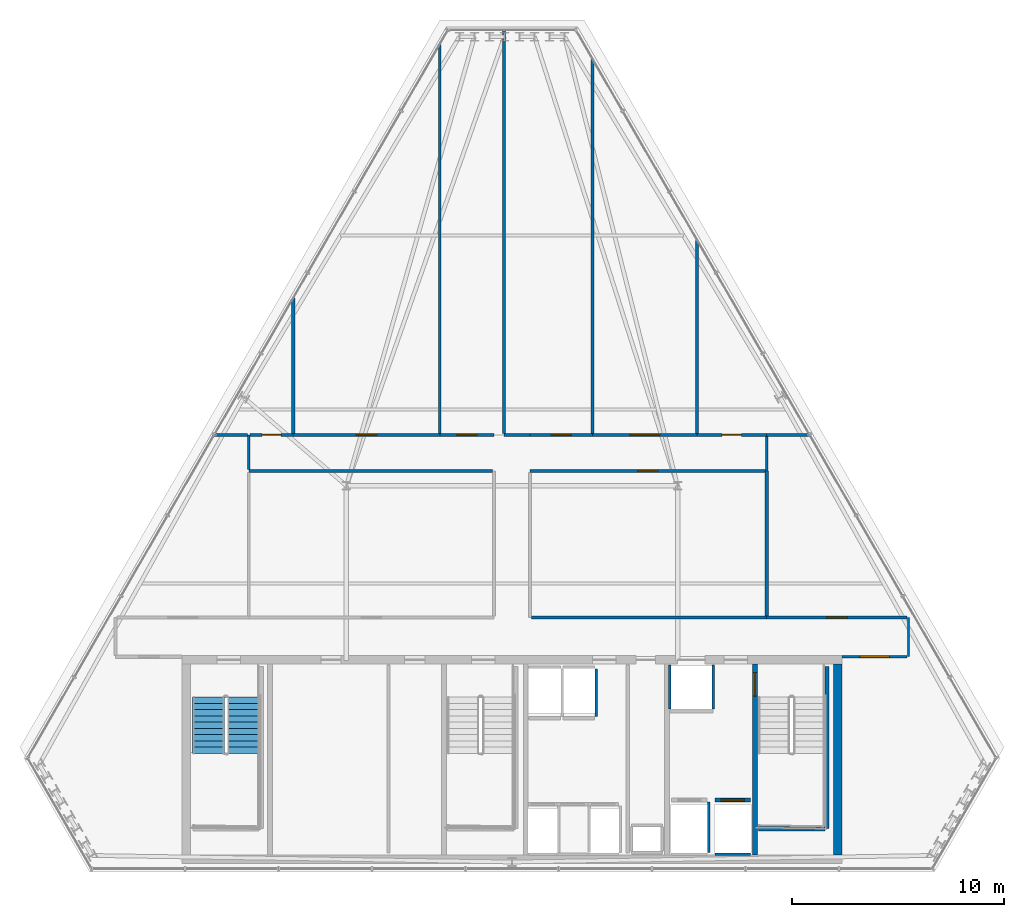
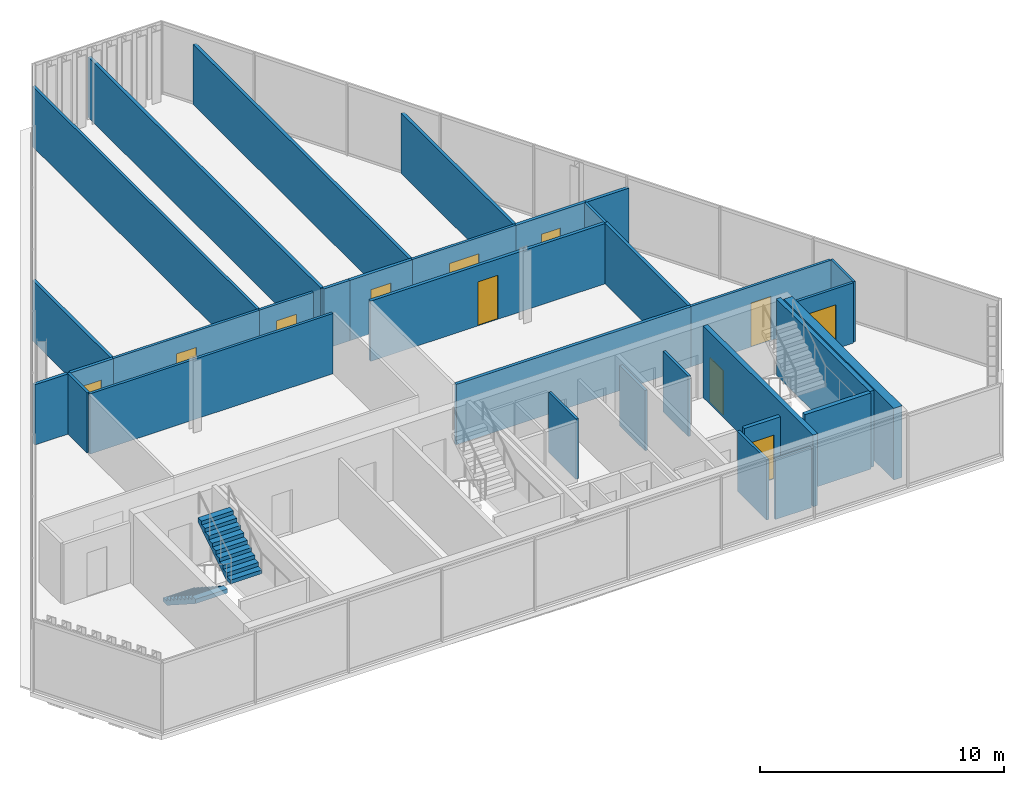
# One storey, part 28 of 32: 33 walls, 11 doors, 2 stair flights, 11 openings, 1 element without a shape of its own.
"""IFC4 building model written with IfcOpenShell, lengths in metres."""

from ifc_helpers import new_model, si_unit, direction, frame, frame_2d, origin, place, context, subcontext, project, spatial, polyline, rectangle, outline, extrude, material, layer, layer_set, type_object, element, fill, aggregate, save


model = new_model("IFC4")

# Units and contexts
model_context = context("Model", 3, precision=1e-05, world=origin(), true_north=direction((0.0, 1.0)))
body_context = subcontext(model_context, "Body", "Model", "MODEL_VIEW")
ifc_project = project(units=[si_unit("LENGTHUNIT", "METRE"), si_unit("AREAUNIT", "SQUARE_METRE"), si_unit("VOLUMEUNIT", "CUBIC_METRE"), si_unit("PLANEANGLEUNIT", "RADIAN"), si_unit("MASSUNIT", "GRAM", prefix="KILO")], contexts=[model_context])

# Site, building, storey
site_placement = place(None, origin())
site = spatial("IfcSite", under=ifc_project, at=site_placement, CompositionType="ELEMENT")
building_placement = place(site_placement, origin())
building = spatial("IfcBuilding", under=site, at=building_placement, Name="Ndaravel Arena Tower", CompositionType="ELEMENT")
storey_placement = place(building_placement, frame((0.0, 0.0, 252.199951171875)))
storey = spatial("IfcBuildingStorey", under=building, at=storey_placement, Name="L61", CompositionType="ELEMENT", Elevation=252.199951171875)

# Wall, opening, door
ifc_material_1 = material(Name="Concrete C50/60", Category="concrete")
ifc_layer_1 = layer(ifc_material_1, 0.219970703125)
ifc_layer_set_1 = layer_set([ifc_layer_1], Name="Concrete C50/60")
wall_type_1 = type_object("IfcWallType", Name="WALL-CORE-220", PredefinedType="SOLIDWALL", material=ifc_layer_set_1)
wall_1_placement = place(storey_placement, frame((53.449951171875, 5.800048828125, 0.0), z_axis=(0.0, 0.0, 1.0), x_axis=(0.0, 1.0, 0.0)))
wall_1 = element("IfcWall", 1, at=wall_1_placement, inside=storey, type_object=wall_type_1, Name="L61 Core Web Shear Wall 5", PredefinedType="SOLIDWALL", context=body_context, shape_type="SweptSolid", body=[
    extrude(rectangle(XDim=9.0, YDim=0.219970703125, at=frame_2d((4.5, 0.0))), origin(), (0.0, 0.0, 1.0), 3.580078125),
])
opening_1_placement = place(wall_1_placement, frame((7.5, 0.0, 0.0)))
opening_1 = element("IfcOpeningElement", 2, at=opening_1_placement, cuts=wall_1, Name="Opening FD-01", PredefinedType="OPENING", context=body_context, shape_type="SweptSolid", body=[
    extrude(rectangle(XDim=1.10009765625, YDim=2.199951171875, at=frame_2d((0.550048828125, 1.10009765625))), frame((0.0, 0.10986328125, 0.0), z_axis=(0.0, -1.0, 0.0), x_axis=(1.0, 0.0, 0.0)), (0.0, 0.0, 1.0), 0.219970703125),
])
ifc_material_2 = material(Name="Steel S355", Category="steel")
door_type_1 = type_object("IfcDoorType", Name="DT-01-STAIR-1100", OperationType="SINGLE_SWING_LEFT", PredefinedType="DOOR", material=ifc_material_2)
door_1_placement = place(opening_1_placement, origin())
door_1 = element("IfcDoor", 3, at=door_1_placement, inside=storey, type_object=door_type_1, Name="L61 Firefighting Lobby to ST-3 Door", OperationType="SINGLE_SWING_LEFT", OverallHeight=2.199951171875, OverallWidth=1.10009765625, PredefinedType="DOOR", context=body_context, shape_type="SweptSolid", body=[
    extrude(rectangle(XDim=1.10009765625, YDim=2.199951171875, at=frame_2d((0.550048828125, 1.10009765625))), frame((0.0, 0.02490234375, 0.0), z_axis=(0.0, -1.0, 0.0), x_axis=(1.0, 0.0, 0.0)), (0.0, 0.0, 1.0), 0.050048828125),
])
fill(opening_1, door_1)

# Walls
ifc_material_3 = material(Name="Concrete C50/60", Category="concrete")
ifc_layer_2 = layer(ifc_material_3, 0.39990234375)
ifc_layer_set_2 = layer_set([ifc_layer_2], Name="Concrete C50/60")
wall_type_2 = type_object("IfcWallType", Name="WALL-CORE-400", PredefinedType="SOLIDWALL", material=ifc_layer_set_2)
wall_2_placement = place(storey_placement, frame((57.35009765625, 5.800048828125, 0.0), z_axis=(0.0, 0.0, 1.0), x_axis=(0.0, 1.0, 0.0)))
element("IfcWall", 4, at=wall_2_placement, inside=storey, type_object=wall_type_2, Name="L61 Core East Shear Wall", PredefinedType="SOLIDWALL", context=body_context, shape_type="SweptSolid", body=[
    extrude(rectangle(XDim=9.0, YDim=0.39990234375, at=frame_2d((4.5, 0.0))), origin(), (0.0, 0.0, 1.0), 3.580078125),
])
ifc_material_4 = material(Name="Timber", Category="wood")
ifc_layer_3 = layer(ifc_material_4, 0.10009765625)
ifc_layer_set_3 = layer_set([ifc_layer_3], Name="Timber")
wall_type_3 = type_object("IfcWallType", Name="WALL-MOVABLE-100", PredefinedType="MOVABLE", material=ifc_layer_set_3)
wall_3_placement = place(storey_placement, frame((60.68505859375, 17.0, 0.0), z_axis=(0.0, 0.0, 1.0), x_axis=(0.0, -1.0, 0.0)))
element("IfcWall", 5, at=wall_3_placement, inside=storey, type_object=wall_type_3, Name="L61 Interior Partition 001", PredefinedType="MOVABLE", context=body_context, shape_type="SweptSolid", body=[
    extrude(rectangle(XDim=1.85009765625, YDim=0.10009765625, at=frame_2d((0.925048828125, 0.0))), origin(), (0.0, 0.0, 1.0), 3.010498046875),
])

# Wall, opening, door
ifc_material_5 = material(Name="Gypsum", Category="gypsum")
ifc_layer_4 = layer(ifc_material_5, 0.125)
ifc_layer_set_4 = layer_set([ifc_layer_4], Name="Gypsum")
wall_type_4 = type_object("IfcWallType", Name="WALL-PART-125", PredefinedType="PARTITIONING", material=ifc_layer_set_4)
wall_4_placement = place(storey_placement, frame((60.6201171875, 15.14990234375, 0.0), z_axis=(0.0, 0.0, 1.0), x_axis=(-1.0, 0.0, 0.0)))
wall_4 = element("IfcWall", 6, at=wall_4_placement, inside=storey, type_object=wall_type_4, Name="L61 Interior Partition 002", PredefinedType="PARTITIONING", context=body_context, shape_type="SweptSolid", body=[
    extrude(rectangle(XDim=3.070068359375, YDim=0.125, at=frame_2d((1.53515625, 0.0))), origin(), (0.0, 0.0, 1.0), 3.010498046875),
])
opening_2_placement = place(wall_4_placement, frame((0.8349609375, 0.0, 0.0)))
opening_2 = element("IfcOpeningElement", 7, at=opening_2_placement, cuts=wall_4, Name="Opening ID-02", PredefinedType="OPENING", context=body_context, shape_type="SweptSolid", body=[
    extrude(rectangle(XDim=1.39990234375, YDim=2.199951171875, at=frame_2d((0.699951171875, 1.10009765625))), frame((0.0, 0.0625, 0.0), z_axis=(0.0, -1.0, 0.0), x_axis=(1.0, 0.0, 0.0)), (0.0, 0.0, 1.0), 0.125),
])
ifc_material_6 = material(Name="Timber", Category="wood")
door_type_2 = type_object("IfcDoorType", Name="DT-04-SUITE-1400", OperationType="DOUBLE_DOOR_SINGLE_SWING", PredefinedType="DOOR", material=ifc_material_6)
door_2_placement = place(opening_2_placement, origin())
door_2 = element("IfcDoor", 8, at=door_2_placement, inside=storey, type_object=door_type_2, Name="L61 Visitor Reception Desk Door", OperationType="SINGLE_SWING_LEFT", OverallHeight=2.199951171875, OverallWidth=1.39990234375, PredefinedType="DOOR", context=body_context, shape_type="SweptSolid", body=[
    extrude(rectangle(XDim=1.39990234375, YDim=2.199951171875, at=frame_2d((0.699951171875, 1.10009765625))), frame((0.0, 0.02490234375, 0.0), z_axis=(0.0, -1.0, 0.0), x_axis=(1.0, 0.0, 0.0)), (0.0, 0.0, 1.0), 0.050048828125),
])
fill(opening_2, door_2)

# Walls
wall_5_placement = place(storey_placement, frame((41.0849609375, 23.89990234375, 0.0), z_axis=(0.0, 0.0, 1.0), x_axis=(-1.0, 0.0, 0.0)))
element("IfcWall", 9, at=wall_5_placement, inside=storey, type_object=wall_type_4, Name="L61 Interior Partition 008", PredefinedType="PARTITIONING", context=body_context, shape_type="SweptSolid", body=[
    extrude(rectangle(XDim=11.48486328125, YDim=0.125, at=frame_2d((5.742431640625, 0.0))), origin(), (0.0, 0.0, 1.0), 3.010498046875),
])
wall_6_placement = place(storey_placement, frame((29.60009765625, 23.965087890625, 0.0), z_axis=(0.0, 0.0, 1.0), x_axis=(0.0, 1.0, 0.0)))
element("IfcWall", 10, at=wall_6_placement, inside=storey, type_object=wall_type_4, Name="L61 Interior Partition 009", PredefinedType="PARTITIONING", context=body_context, shape_type="SweptSolid", body=[
    extrude(rectangle(XDim=1.635009765625, YDim=0.125, at=frame_2d((0.8173828125, 0.0))), origin(), (0.0, 0.0, 1.0), 3.010498046875),
])

# Wall, opening, door
wall_7_placement = place(storey_placement, frame((31.69091796875, 25.60009765625, 0.0), z_axis=(0.0, 0.0, 1.0), x_axis=(1.0, 0.0, 0.0)))
wall_7 = element("IfcWall", 11, at=wall_7_placement, inside=storey, type_object=wall_type_4, Name="L61 Interior Partition 011", PredefinedType="PARTITIONING", context=body_context, shape_type="SweptSolid", body=[
    extrude(rectangle(XDim=6.9091796875, YDim=0.125, at=frame_2d((3.45458984375, 0.0))), origin(), (0.0, 0.0, 1.0), 3.010498046875),
])
opening_3_placement = place(wall_7_placement, frame((2.9794921875, 0.0, 0.0)))
opening_3 = element("IfcOpeningElement", 12, at=opening_3_placement, cuts=wall_7, Name="Opening ID-01", PredefinedType="OPENING", context=body_context, shape_type="SweptSolid", body=[
    extrude(rectangle(XDim=0.949951171875, YDim=2.199951171875, at=frame_2d((0.47509765625, 1.10009765625))), frame((0.0, 0.0625, 0.0), z_axis=(0.0, -1.0, 0.0), x_axis=(1.0, 0.0, 0.0)), (0.0, 0.0, 1.0), 0.125),
])
ifc_material_7 = material(Name="Timber", Category="wood")
door_type_3 = type_object("IfcDoorType", Name="DT-03-OFFICE-950", OperationType="SINGLE_SWING_LEFT", PredefinedType="DOOR", material=ifc_material_7)
door_3_placement = place(opening_3_placement, origin())
door_3 = element("IfcDoor", 13, at=door_3_placement, inside=storey, type_object=door_type_3, Name="L61 Concierge Arrival Salon 2 Door", OperationType="SINGLE_SWING_RIGHT", OverallHeight=2.199951171875, OverallWidth=0.949951171875, PredefinedType="DOOR", context=body_context, shape_type="SweptSolid", body=[
    extrude(rectangle(XDim=0.949951171875, YDim=2.199951171875, at=frame_2d((0.47509765625, 1.10009765625))), frame((0.0, 0.02490234375, 0.0), z_axis=(0.0, -1.0, 0.0), x_axis=(1.0, 0.0, 0.0)), (0.0, 0.0, 1.0), 0.050048828125),
])
fill(opening_3, door_3)

wall_8_placement = place(storey_placement, frame((38.60009765625, 25.60009765625, 0.0), z_axis=(0.0, 0.0, 1.0), x_axis=(1.0, 0.0, 0.0)))
wall_8 = element("IfcWall", 14, at=wall_8_placement, inside=storey, type_object=wall_type_4, Name="L61 Interior Partition 012", PredefinedType="PARTITIONING", context=body_context, shape_type="SweptSolid", body=[
    extrude(rectangle(XDim=2.5498046875, YDim=0.125, at=frame_2d((1.27490234375, 0.0))), origin(), (0.0, 0.0, 1.0), 3.010498046875),
])
opening_4_placement = place(wall_8_placement, frame((0.800048828125, 0.0, 0.0)))
opening_4 = element("IfcOpeningElement", 15, at=opening_4_placement, cuts=wall_8, Name="Opening ID-01", PredefinedType="OPENING", context=body_context, shape_type="SweptSolid", body=[
    extrude(rectangle(XDim=0.949951171875, YDim=2.199951171875, at=frame_2d((0.47509765625, 1.10009765625))), frame((0.0, 0.0625, 0.0), z_axis=(0.0, -1.0, 0.0), x_axis=(1.0, 0.0, 0.0)), (0.0, 0.0, 1.0), 0.125),
])
door_4_placement = place(opening_4_placement, origin())
door_4 = element("IfcDoor", 16, at=door_4_placement, inside=storey, type_object=door_type_3, Name="L61 Client Concierge Parlour 4 Door", OperationType="SINGLE_SWING_LEFT", OverallHeight=2.199951171875, OverallWidth=0.949951171875, PredefinedType="DOOR", context=body_context, shape_type="SweptSolid", body=[
    extrude(rectangle(XDim=0.949951171875, YDim=2.199951171875, at=frame_2d((0.47509765625, 1.10009765625))), frame((0.0, 0.02490234375, 0.0), z_axis=(0.0, -1.0, 0.0), x_axis=(1.0, 0.0, 0.0)), (0.0, 0.0, 1.0), 0.050048828125),
])
fill(opening_4, door_4)

wall_9_placement = place(storey_placement, frame((45.800048828125, 25.60009765625, 0.0), z_axis=(0.0, 0.0, 1.0), x_axis=(1.0, 0.0, 0.0)))
wall_9 = element("IfcWall", 17, at=wall_9_placement, inside=storey, type_object=wall_type_4, Name="L61 Interior Partition 015", PredefinedType="PARTITIONING", context=body_context, shape_type="SweptSolid", body=[
    extrude(rectangle(XDim=4.909912109375, YDim=0.125, at=frame_2d((2.455078125, 0.0))), origin(), (0.0, 0.0, 1.0), 3.010498046875),
])
opening_5_placement = place(wall_9_placement, frame((1.7548828125, 0.0, 0.0)))
opening_5 = element("IfcOpeningElement", 18, at=opening_5_placement, cuts=wall_9, Name="Opening ID-02", PredefinedType="OPENING", context=body_context, shape_type="SweptSolid", body=[
    extrude(rectangle(XDim=1.39990234375, YDim=2.199951171875, at=frame_2d((0.699951171875, 1.10009765625))), frame((0.0, 0.0625, 0.0), z_axis=(0.0, -1.0, 0.0), x_axis=(1.0, 0.0, 0.0)), (0.0, 0.0, 1.0), 0.125),
])
door_5_placement = place(opening_5_placement, origin())
door_5 = element("IfcDoor", 19, at=door_5_placement, inside=storey, type_object=door_type_2, Name="L61 Tenant Reception Suite 3 Door", OperationType="SINGLE_SWING_LEFT", OverallHeight=2.199951171875, OverallWidth=1.39990234375, PredefinedType="DOOR", context=body_context, shape_type="SweptSolid", body=[
    extrude(rectangle(XDim=1.39990234375, YDim=2.199951171875, at=frame_2d((0.699951171875, 1.10009765625))), frame((0.0, 0.02490234375, 0.0), z_axis=(0.0, -1.0, 0.0), x_axis=(1.0, 0.0, 0.0)), (0.0, 0.0, 1.0), 0.050048828125),
])
fill(opening_5, door_5)

# Wall
wall_10_placement = place(storey_placement, frame((54.0, 25.534912109375, 0.0), z_axis=(0.0, 0.0, 1.0), x_axis=(0.0, -1.0, 0.0)))
element("IfcWall", 20, at=wall_10_placement, inside=storey, type_object=wall_type_4, Name="L61 Interior Partition 017", PredefinedType="PARTITIONING", context=body_context, shape_type="SweptSolid", body=[
    extrude(rectangle(XDim=1.635009765625, YDim=0.125, at=frame_2d((0.8173828125, 0.0))), origin(), (0.0, 0.0, 1.0), 3.010498046875),
])

# Wall, opening, door
wall_11_placement = place(storey_placement, frame((54.0, 17.0, 0.0), z_axis=(0.0, 0.0, 1.0), x_axis=(1.0, 0.0, 0.0)))
wall_11 = element("IfcWall", 21, at=wall_11_placement, inside=storey, type_object=wall_type_4, Name="L61 Interior Partition 021", PredefinedType="PARTITIONING", context=body_context, shape_type="SweptSolid", body=[
    extrude(rectangle(XDim=6.6201171875, YDim=0.125, at=frame_2d((3.31005859375, 0.0))), origin(), (0.0, 0.0, 1.0), 3.010498046875),
])
opening_6_placement = place(wall_11_placement, frame((2.8349609375, 0.0, 0.0)))
opening_6 = element("IfcOpeningElement", 22, at=opening_6_placement, cuts=wall_11, Name="Opening ID-01", PredefinedType="OPENING", context=body_context, shape_type="SweptSolid", body=[
    extrude(rectangle(XDim=0.949951171875, YDim=2.199951171875, at=frame_2d((0.47509765625, 1.10009765625))), frame((0.0, 0.0625, 0.0), z_axis=(0.0, -1.0, 0.0), x_axis=(1.0, 0.0, 0.0)), (0.0, 0.0, 1.0), 0.125),
])
door_6_placement = place(opening_6_placement, origin())
door_6 = element("IfcDoor", 23, at=door_6_placement, inside=storey, type_object=door_type_3, Name="L61 Barista Galley 3 Door", OperationType="SINGLE_SWING_LEFT", OverallHeight=2.199951171875, OverallWidth=0.949951171875, PredefinedType="DOOR", context=body_context, shape_type="SweptSolid", body=[
    extrude(rectangle(XDim=0.949951171875, YDim=2.199951171875, at=frame_2d((0.47509765625, 1.10009765625))), frame((0.0, 0.02490234375, 0.0), z_axis=(0.0, -1.0, 0.0), x_axis=(1.0, 0.0, 0.0)), (0.0, 0.0, 1.0), 0.050048828125),
])
fill(opening_6, door_6)

# Walls
wall_12_placement = place(storey_placement, frame((38.60009765625, 44.010498046875, 0.0), z_axis=(0.0, 0.0, 1.0), x_axis=(0.0, -1.0, 0.0)))
element("IfcWall", 24, at=wall_12_placement, inside=storey, type_object=wall_type_4, Name="L61 Interior Partition 028", PredefinedType="PARTITIONING", context=body_context, shape_type="SweptSolid", body=[
    extrude(rectangle(XDim=18.345458984375, YDim=0.125, at=frame_2d((9.1728515625, 0.0))), origin(), (0.0, 0.0, 1.0), 3.010498046875),
])
ifc_material_8 = material(Name="Concrete C40/50", Category="concrete")
ifc_layer_5 = layer(ifc_material_8, 0.1201171875)
ifc_layer_set_5 = layer_set([ifc_layer_5], Name="Concrete C40/50")
wall_type_5 = type_object("IfcWallType", Name="WALL-SHAFT-120", PredefinedType="SOLIDWALL", material=ifc_layer_set_5)
wall_13_placement = place(storey_placement, frame((45.97509765625, 12.340087890625, 0.0), z_axis=(0.0, 0.0, 1.0), x_axis=(0.0, 1.0, 0.0)))
element("IfcWall", 25, at=wall_13_placement, inside=storey, type_object=wall_type_5, Name="L61 PL-OBS2 Shaft Side R Wall", PredefinedType="SOLIDWALL", context=body_context, shape_type="SweptSolid", body=[
    extrude(rectangle(XDim=2.22998046875, YDim=0.1201171875, at=frame_2d((1.114990234375, 0.0))), origin(), (0.0, 0.0, 1.0), 3.010498046875),
])
wall_14_placement = place(storey_placement, frame((51.27490234375, 5.929931640625, 0.0), z_axis=(0.0, 0.0, 1.0), x_axis=(0.0, 1.0, 0.0)))
element("IfcWall", 26, at=wall_14_placement, inside=storey, type_object=wall_type_5, Name="L61 FFL-1 Shaft Side R Wall", PredefinedType="SOLIDWALL", context=body_context, shape_type="SweptSolid", body=[
    extrude(rectangle(XDim=2.380126953125, YDim=0.1201171875, at=frame_2d((1.18994140625, 0.0))), origin(), (0.0, 0.0, 1.0), 3.010498046875),
])
wall_15_placement = place(storey_placement, frame((51.554931640625, 5.840087890625, 0.0), z_axis=(0.0, 0.0, 1.0), x_axis=(1.0, 0.0, 0.0)))
element("IfcWall", 27, at=wall_15_placement, inside=storey, type_object=wall_type_5, Name="L61 FFL-2 Shaft Rear Wall", PredefinedType="SOLIDWALL", context=body_context, shape_type="SweptSolid", body=[
    extrude(rectangle(XDim=1.690185546875, YDim=0.1201171875, at=frame_2d((0.84521484375, 0.0))), origin(), (0.0, 0.0, 1.0), 3.010498046875),
])
for number, where, z_axis, x_axis, name in (
    (28, (49.43994140625, 12.68994140625, 0.0), (0.0, 0.0, 1.0), (0.0, 1.0, 0.0), "L61 SVL-1 Shaft W Wall"),
    (29, (51.47998046875, 12.68994140625, 0.0), (0.0, 0.0, 1.0), (0.0, 1.0, 0.0), "L61 SVL-1 Shaft E Wall"),
):
    element("IfcWall", number, at=place(storey_placement, frame(where, z_axis=z_axis, x_axis=x_axis)), inside=storey, type_object=wall_type_5, Name=name, PredefinedType="SOLIDWALL", context=body_context, shape_type="SweptSolid", body=[
        extrude(rectangle(XDim=2.070068359375, YDim=0.1201171875, at=frame_2d((1.03515625, 0.0))), origin(), (0.0, 0.0, 1.0), 3.010498046875),
    ])
ifc_material_9 = material(Name="Concrete C40/50", Category="concrete")
ifc_layer_6 = layer(ifc_material_9, 0.199951171875)
ifc_layer_set_6 = layer_set([ifc_layer_6], Name="Concrete C40/50")
wall_type_6 = type_object("IfcWallType", Name="WALL-SHAFT-200", PredefinedType="SOLIDWALL", material=ifc_layer_set_6)
wall_16_placement = place(storey_placement, frame((56.840087890625, 14.699951171875, 0.0), z_axis=(0.0, 0.0, 1.0), x_axis=(0.0, -1.0, 0.0)))
element("IfcWall", 30, at=wall_16_placement, inside=storey, type_object=wall_type_6, Name="L61 ST-3 Structural Shaft Wall Right", PredefinedType="SOLIDWALL", context=body_context, shape_type="SweptSolid", body=[
    extrude(rectangle(XDim=7.64990234375, YDim=0.199951171875, at=frame_2d((3.824951171875, 0.0))), origin(), (0.0, 0.0, 1.0), 3.800048828125),
])
wall_17_placement = place(storey_placement, frame((53.6201171875, 7.050048828125, 0.0), z_axis=(0.0, 0.0, 1.0), x_axis=(1.0, 0.0, 0.0)))
element("IfcWall", 31, at=wall_17_placement, inside=storey, type_object=wall_type_6, Name="L61 ST-3 Structural Shaft Wall Far", PredefinedType="SOLIDWALL", context=body_context, shape_type="SweptSolid", body=[
    extrude(rectangle(XDim=3.114990234375, YDim=0.199951171875, at=frame_2d((1.5576171875, 0.0))), origin(), (0.0, 0.0, 1.0), 3.800048828125),
])

# Wall, opening, door
wall_18_placement = place(storey_placement, frame((51.554931640625, 8.39990234375, 0.0), z_axis=(0.0, 0.0, 1.0), x_axis=(1.0, 0.0, 0.0)))
wall_18 = element("IfcWall", 32, at=wall_18_placement, inside=storey, type_object=wall_type_6, Name="L61 FFL-2 Shaft Landing Wall", PredefinedType="SOLIDWALL", context=body_context, shape_type="SweptSolid", body=[
    extrude(rectangle(XDim=1.690185546875, YDim=0.179931640625, at=frame_2d((0.84521484375, 0.0))), origin(), (0.0, 0.0, 1.0), 3.010498046875),
])
opening_7_placement = place(wall_18_placement, frame((0.294921875, 0.0, 0.0)))
opening_7 = element("IfcOpeningElement", 33, at=opening_7_placement, cuts=wall_18, Name="Opening LD-01", PredefinedType="OPENING", context=body_context, shape_type="SweptSolid", body=[
    extrude(rectangle(XDim=1.10009765625, YDim=2.199951171875, at=frame_2d((0.550048828125, 1.10009765625))), frame((0.0, 0.08984375, 0.0), z_axis=(0.0, -1.0, 0.0), x_axis=(1.0, 0.0, 0.0)), (0.0, 0.0, 1.0), 0.179931640625),
])
ifc_material_10 = material(Name="Steel S355", Category="steel")
door_type_4 = type_object("IfcDoorType", Name="DT-06-LIFT-1100", OperationType="SLIDING_TO_LEFT", PredefinedType="DOOR", material=ifc_material_10)
door_7_placement = place(opening_7_placement, origin())
door_7 = element("IfcDoor", 34, at=door_7_placement, inside=storey, type_object=door_type_4, Name="L61 Lift FFL-2 Sliding Landing Door", OperationType="SLIDING_TO_LEFT", OverallHeight=2.199951171875, OverallWidth=1.10009765625, PredefinedType="DOOR", context=body_context, shape_type="SweptSolid", body=[
    extrude(rectangle(XDim=1.10009765625, YDim=2.199951171875, at=frame_2d((0.550048828125, 1.10009765625))), frame((0.0, 0.02490234375, 0.0), z_axis=(0.0, -1.0, 0.0), x_axis=(1.0, 0.0, 0.0)), (0.0, 0.0, 1.0), 0.050048828125),
])
fill(opening_7, door_7)

ifc_material_11 = material(Name="Masonry", Category="masonry")
ifc_layer_7 = layer(ifc_material_11, 0.14990234375)
ifc_layer_set_7 = layer_set([ifc_layer_7], Name="Masonry")
wall_type_7 = type_object("IfcWallType", Name="WALL-WET-150", PredefinedType="PARTITIONING", material=ifc_layer_set_7)
wall_19_placement = place(storey_placement, frame((29.6650390625, 25.60009765625, 0.0), z_axis=(0.0, 0.0, 1.0), x_axis=(1.0, 0.0, 0.0)))
wall_19 = element("IfcWall", 35, at=wall_19_placement, inside=storey, type_object=wall_type_7, Name="L61 Interior Partition 010", PredefinedType="PARTITIONING", context=body_context, shape_type="SweptSolid", body=[
    extrude(rectangle(XDim=2.02587890625, YDim=0.14990234375, at=frame_2d((1.012939453125, 0.0))), origin(), (0.0, 0.0, 1.0), 3.010498046875),
])
opening_8_placement = place(wall_19_placement, frame((0.56298828125, 0.0, 0.0)))
opening_8 = element("IfcOpeningElement", 36, at=opening_8_placement, cuts=wall_19, Name="Opening WD-01", PredefinedType="OPENING", context=body_context, shape_type="SweptSolid", body=[
    extrude(rectangle(XDim=0.89990234375, YDim=2.14990234375, at=frame_2d((0.449951171875, 1.074951171875))), frame((0.0, 0.074951171875, 0.0), z_axis=(0.0, -1.0, 0.0), x_axis=(1.0, 0.0, 0.0)), (0.0, 0.0, 1.0), 0.14990234375),
])
ifc_material_12 = material(Name="Timber", Category="wood")
door_type_5 = type_object("IfcDoorType", Name="DT-05-WC-900", OperationType="SINGLE_SWING_LEFT", PredefinedType="DOOR", material=ifc_material_12)
door_8_placement = place(opening_8_placement, origin())
door_8 = element("IfcDoor", 37, at=door_8_placement, inside=storey, type_object=door_type_5, Name="L61 Male Staff & Visitor Restroom Door", OperationType="SINGLE_SWING_RIGHT", OverallHeight=2.14990234375, OverallWidth=0.89990234375, PredefinedType="DOOR", context=body_context, shape_type="SweptSolid", body=[
    extrude(rectangle(XDim=0.89990234375, YDim=2.14990234375, at=frame_2d((0.449951171875, 1.074951171875))), frame((0.0, 0.02490234375, 0.0), z_axis=(0.0, -1.0, 0.0), x_axis=(1.0, 0.0, 0.0)), (0.0, 0.0, 1.0), 0.050048828125),
])
fill(opening_8, door_8)

# Wall
wall_20_placement = place(storey_placement, frame((41.6240234375, 25.60009765625, 0.0), z_axis=(0.0, 0.0, 1.0), x_axis=(1.0, 0.0, 0.0)))
element("IfcWall", 38, at=wall_20_placement, inside=storey, type_object=wall_type_7, Name="L61 Interior Partition 013", PredefinedType="PARTITIONING", context=body_context, shape_type="SweptSolid", body=[
    extrude(rectangle(XDim=1.22607421875, YDim=0.14990234375, at=frame_2d((0.613037109375, 0.0))), origin(), (0.0, 0.0, 1.0), 3.010498046875),
])

# Wall, opening, door
wall_21_placement = place(storey_placement, frame((42.85009765625, 25.60009765625, 0.0), z_axis=(0.0, 0.0, 1.0), x_axis=(1.0, 0.0, 0.0)))
wall_21 = element("IfcWall", 39, at=wall_21_placement, inside=storey, type_object=wall_type_7, Name="L61 Interior Partition 014", PredefinedType="PARTITIONING", context=body_context, shape_type="SweptSolid", body=[
    extrude(rectangle(XDim=2.949951171875, YDim=0.14990234375, at=frame_2d((1.47509765625, 0.0))), origin(), (0.0, 0.0, 1.0), 3.010498046875),
])
opening_9_placement = place(wall_21_placement, frame((1.0, 0.0, 0.0)))
opening_9 = element("IfcOpeningElement", 40, at=opening_9_placement, cuts=wall_21, Name="Opening FD-03", PredefinedType="OPENING", context=body_context, shape_type="SweptSolid", body=[
    extrude(rectangle(XDim=0.949951171875, YDim=2.199951171875, at=frame_2d((0.47509765625, 1.10009765625))), frame((0.0, 0.074951171875, 0.0), z_axis=(0.0, -1.0, 0.0), x_axis=(1.0, 0.0, 0.0)), (0.0, 0.0, 1.0), 0.14990234375),
])
ifc_material_13 = material(Name="Steel S355", Category="steel")
door_type_6 = type_object("IfcDoorType", Name="DT-11-CORE-950", OperationType="SINGLE_SWING_LEFT", PredefinedType="DOOR", material=ifc_material_13)
door_9_placement = place(opening_9_placement, origin())
door_9 = element("IfcDoor", 41, at=door_9_placement, inside=storey, type_object=door_type_6, Name="L61 Floor Servery Kitchen 4 Door", OperationType="SINGLE_SWING_RIGHT", OverallHeight=2.199951171875, OverallWidth=0.949951171875, PredefinedType="DOOR", context=body_context, shape_type="SweptSolid", body=[
    extrude(rectangle(XDim=0.949951171875, YDim=2.199951171875, at=frame_2d((0.47509765625, 1.10009765625))), frame((0.0, 0.02490234375, 0.0), z_axis=(0.0, -1.0, 0.0), x_axis=(1.0, 0.0, 0.0)), (0.0, 0.0, 1.0), 0.050048828125),
])
fill(opening_9, door_9)

wall_22_placement = place(storey_placement, frame((50.7099609375, 25.60009765625, 0.0), z_axis=(0.0, 0.0, 1.0), x_axis=(1.0, 0.0, 0.0)))
wall_22 = element("IfcWall", 42, at=wall_22_placement, inside=storey, type_object=wall_type_7, Name="L61 Interior Partition 016", PredefinedType="PARTITIONING", context=body_context, shape_type="SweptSolid", body=[
    extrude(rectangle(XDim=3.2900390625, YDim=0.14990234375, at=frame_2d((1.64501953125, 0.0))), origin(), (0.0, 0.0, 1.0), 3.010498046875),
])
opening_10_placement = place(wall_22_placement, frame((1.195068359375, 0.0, 0.0)))
opening_10 = element("IfcOpeningElement", 43, at=opening_10_placement, cuts=wall_22, Name="Opening WD-01", PredefinedType="OPENING", context=body_context, shape_type="SweptSolid", body=[
    extrude(rectangle(XDim=0.89990234375, YDim=2.14990234375, at=frame_2d((0.449951171875, 1.074951171875))), frame((0.0, 0.074951171875, 0.0), z_axis=(0.0, -1.0, 0.0), x_axis=(1.0, 0.0, 0.0)), (0.0, 0.0, 1.0), 0.14990234375),
])
door_10_placement = place(opening_10_placement, origin())
door_10 = element("IfcDoor", 44, at=door_10_placement, inside=storey, type_object=door_type_5, Name="L61 Female & Accessible Restroom Door", OperationType="SINGLE_SWING_LEFT", OverallHeight=2.14990234375, OverallWidth=0.89990234375, PredefinedType="DOOR", context=body_context, shape_type="SweptSolid", body=[
    extrude(rectangle(XDim=0.89990234375, YDim=2.14990234375, at=frame_2d((0.449951171875, 1.074951171875))), frame((0.0, 0.02490234375, 0.0), z_axis=(0.0, -1.0, 0.0), x_axis=(1.0, 0.0, 0.0)), (0.0, 0.0, 1.0), 0.050048828125),
])
fill(opening_10, door_10)

wall_23_placement = place(storey_placement, frame((53.93505859375, 23.89990234375, 0.0), z_axis=(0.0, 0.0, 1.0), x_axis=(-1.0, 0.0, 0.0)))
wall_23 = element("IfcWall", 45, at=wall_23_placement, inside=storey, type_object=wall_type_7, Name="L61 Interior Partition 018", PredefinedType="PARTITIONING", context=body_context, shape_type="SweptSolid", body=[
    extrude(rectangle(XDim=11.0849609375, YDim=0.14990234375, at=frame_2d((5.54248046875, 0.0))), origin(), (0.0, 0.0, 1.0), 3.010498046875),
])
opening_11_placement = place(wall_23_placement, frame((5.0673828125, 0.0, 0.0)))
opening_11 = element("IfcOpeningElement", 46, at=opening_11_placement, cuts=wall_23, Name="Opening FD-03", PredefinedType="OPENING", context=body_context, shape_type="SweptSolid", body=[
    extrude(rectangle(XDim=0.949951171875, YDim=2.199951171875, at=frame_2d((0.47509765625, 1.10009765625))), frame((0.0, 0.074951171875, 0.0), z_axis=(0.0, -1.0, 0.0), x_axis=(1.0, 0.0, 0.0)), (0.0, 0.0, 1.0), 0.14990234375),
])
door_11_placement = place(opening_11_placement, origin())
door_11 = element("IfcDoor", 47, at=door_11_placement, inside=storey, type_object=door_type_6, Name="L61 Catering Pantry 2 Door", OperationType="SINGLE_SWING_RIGHT", OverallHeight=2.199951171875, OverallWidth=0.949951171875, PredefinedType="DOOR", context=body_context, shape_type="SweptSolid", body=[
    extrude(rectangle(XDim=0.949951171875, YDim=2.199951171875, at=frame_2d((0.47509765625, 1.10009765625))), frame((0.0, 0.02490234375, 0.0), z_axis=(0.0, -1.0, 0.0), x_axis=(1.0, 0.0, 0.0)), (0.0, 0.0, 1.0), 0.050048828125),
])
fill(opening_11, door_11)

# Walls
wall_24_placement = place(storey_placement, frame((42.9150390625, 17.0, 0.0), z_axis=(0.0, 0.0, 1.0), x_axis=(1.0, 0.0, 0.0)))
element("IfcWall", 48, at=wall_24_placement, inside=storey, type_object=wall_type_7, Name="L61 Interior Partition 020", PredefinedType="PARTITIONING", context=body_context, shape_type="SweptSolid", body=[
    extrude(rectangle(XDim=11.0849609375, YDim=0.14990234375, at=frame_2d((5.54248046875, 0.0))), origin(), (0.0, 0.0, 1.0), 3.010498046875),
])
wall_25_placement = place(storey_placement, frame((27.970703125, 25.60009765625, 0.0), z_axis=(0.0, 0.0, 1.0), x_axis=(1.0, 0.0, 0.0)))
element("IfcWall", 49, at=wall_25_placement, inside=storey, type_object=wall_type_7, Name="L61 Interior Partition 023", PredefinedType="PARTITIONING", context=body_context, shape_type="SweptSolid", body=[
    extrude(rectangle(XDim=1.564208984375, YDim=0.14990234375, at=frame_2d((0.7822265625, 0.0))), origin(), (0.0, 0.0, 1.0), 3.010498046875),
])
wall_26_placement = place(storey_placement, frame((54.0, 23.89990234375, 0.0), z_axis=(0.0, 0.0, 1.0), x_axis=(0.0, -1.0, 0.0)))
element("IfcWall", 50, at=wall_26_placement, inside=storey, type_object=wall_type_7, Name="L61 Interior Partition 024", PredefinedType="PARTITIONING", context=body_context, shape_type="SweptSolid", body=[
    extrude(rectangle(XDim=6.8349609375, YDim=0.14990234375, at=frame_2d((3.41748046875, 0.0))), origin(), (0.0, 0.0, 1.0), 3.010498046875),
])
wall_27_placement = place(storey_placement, frame((54.0, 25.60009765625, 0.0), z_axis=(0.0, 0.0, 1.0), x_axis=(1.0, 0.0, 0.0)))
element("IfcWall", 51, at=wall_27_placement, inside=storey, type_object=wall_type_7, Name="L61 Interior Partition 025", PredefinedType="PARTITIONING", context=body_context, shape_type="SweptSolid", body=[
    extrude(rectangle(XDim=2.029296875, YDim=0.14990234375, at=frame_2d((1.0146484375, 0.0))), origin(), (0.0, 0.0, 1.0), 3.010498046875),
])
wall_28_placement = place(storey_placement, frame((31.69091796875, 32.043701171875, 0.0), z_axis=(0.0, 0.0, 1.0), x_axis=(0.0, -1.0, 0.0)))
element("IfcWall", 52, at=wall_28_placement, inside=storey, type_object=wall_type_7, Name="L61 Interior Partition 026", PredefinedType="PARTITIONING", context=body_context, shape_type="SweptSolid", body=[
    extrude(rectangle(XDim=6.378662109375, YDim=0.14990234375, at=frame_2d((3.189453125, 0.0))), origin(), (0.0, 0.0, 1.0), 3.010498046875),
])
wall_29_placement = place(storey_placement, frame((50.7099609375, 25.6650390625, 0.0), z_axis=(0.0, 0.0, 1.0), x_axis=(0.0, 1.0, 0.0)))
element("IfcWall", 53, at=wall_29_placement, inside=storey, type_object=wall_type_7, Name="L61 Interior Partition 027", PredefinedType="PARTITIONING", context=body_context, shape_type="SweptSolid", body=[
    extrude(rectangle(XDim=9.148193359375, YDim=0.14990234375, at=frame_2d((4.57421875, 0.0))), origin(), (0.0, 0.0, 1.0), 3.010498046875),
])
wall_30_placement = place(storey_placement, frame((45.800048828125, 25.6650390625, 0.0), z_axis=(0.0, 0.0, 1.0), x_axis=(0.0, 1.0, 0.0)))
element("IfcWall", 54, at=wall_30_placement, inside=storey, type_object=wall_type_7, Name="L61 Interior Partition 029", PredefinedType="PARTITIONING", context=body_context, shape_type="SweptSolid", body=[
    extrude(rectangle(XDim=17.652587890625, YDim=0.14990234375, at=frame_2d((8.826171875, 0.0))), origin(), (0.0, 0.0, 1.0), 3.010498046875),
])
wall_31_placement = place(storey_placement, frame((41.6240234375, 25.6650390625, 0.0), z_axis=(0.0, 0.0, 1.0), x_axis=(0.0, 1.0, 0.0)))
element("IfcWall", 55, at=wall_31_placement, inside=storey, type_object=wall_type_7, Name="L61 Interior Partition 030", PredefinedType="PARTITIONING", context=body_context, shape_type="SweptSolid", body=[
    extrude(rectangle(XDim=19.014404296875, YDim=0.14990234375, at=frame_2d((9.50732421875, 0.0))), origin(), (0.0, 0.0, 1.0), 3.010498046875),
])

# Stair, stair flights
ifc_material_14 = material(Name="Concrete C40/50", Category="concrete")
stair_type = type_object("IfcStairType", Name="STAIR-CORE-HT", PredefinedType="HALF_TURN_STAIR", material=ifc_material_14)
stair_placement = place(storey_placement, origin())
stair = element("IfcStair", 56, at=stair_placement, inside=storey, type_object=stair_type, Name="L61 ST-1", PredefinedType="HALF_TURN_STAIR")
ifc_material_15 = material(Name="Concrete C40/50", Category="concrete")
stair_flight_type = type_object("IfcStairFlightType", Name="SFLIGHT-CORE-1680", PredefinedType="STRAIGHT", material=ifc_material_15)
stair_flight_1_placement = place(storey_placement, frame((27.699951171875, 13.25, 0.0), z_axis=(0.0, 0.0, 1.0), x_axis=(0.0, -1.0, 0.0)))
stair_flight_1 = element("IfcStairFlight", 57, at=stair_flight_1_placement, type_object=stair_flight_type, Name="ST-1 flight 1", NumberOfRisers=10, NumberOfTreads=9, PredefinedType="STRAIGHT", RiserHeight=0.19, TreadLength=0.295, context=body_context, shape_type="SweptSolid", body=[
    extrude(outline(polyline([(0.0, 0.0), (0.0, 0.18994140625), (0.294921875, 0.18994140625), (0.294921875, 0.3798828125), (0.590087890625, 0.3798828125), (0.590087890625, 0.570068359375), (0.885009765625, 0.570068359375), (0.885009765625, 0.760009765625), (1.179931640625, 0.760009765625), (1.179931640625, 0.949951171875), (1.47509765625, 0.949951171875), (1.47509765625, 1.139892578125), (1.77001953125, 1.139892578125), (1.77001953125, 1.330078125), (2.06494140625, 1.330078125), (2.06494140625, 1.52001953125), (2.360107421875, 1.52001953125), (2.360107421875, 1.7099609375), (2.655029296875, 1.7099609375), (2.655029296875, 1.89990234375), (2.655029296875, 1.49609375), (0.332275390625, 0.0), (0.0, 0.0)])), frame((0.0, 0.75, 0.0), z_axis=(0.0, -1.0, 0.0), x_axis=(1.0, 0.0, 0.0)), (0.0, 0.0, 1.0), 1.5),
])
stair_flight_2_placement = place(storey_placement, frame((29.340087890625, 10.594970703125, 1.900146484375), z_axis=(0.0, 0.0, 1.0), x_axis=(0.0, 1.0, 0.0)))
stair_flight_2 = element("IfcStairFlight", 58, at=stair_flight_2_placement, type_object=stair_flight_type, Name="ST-1 flight 2", NumberOfRisers=10, NumberOfTreads=9, PredefinedType="STRAIGHT", RiserHeight=0.19, TreadLength=0.295, context=body_context, shape_type="SweptSolid", body=[
    extrude(outline(polyline([(0.0, 0.0), (0.0, 0.18994140625), (0.294921875, 0.18994140625), (0.294921875, 0.3798828125), (0.590087890625, 0.3798828125), (0.590087890625, 0.570068359375), (0.885009765625, 0.570068359375), (0.885009765625, 0.760009765625), (1.179931640625, 0.760009765625), (1.179931640625, 0.949951171875), (1.47509765625, 0.949951171875), (1.47509765625, 1.139892578125), (1.77001953125, 1.139892578125), (1.77001953125, 1.330078125), (2.06494140625, 1.330078125), (2.06494140625, 1.52001953125), (2.360107421875, 1.52001953125), (2.360107421875, 1.7099609375), (2.655029296875, 1.7099609375), (2.655029296875, 1.89990234375), (2.655029296875, 1.49609375), (0.332275390625, 0.0), (0.0, 0.0)])), frame((0.0, 0.75, 0.0), z_axis=(0.0, -1.0, 0.0), x_axis=(1.0, 0.0, 0.0)), (0.0, 0.0, 1.0), 1.5),
])
aggregate(stair, [stair_flight_1, stair_flight_2])

save(model, "model.ifc")
